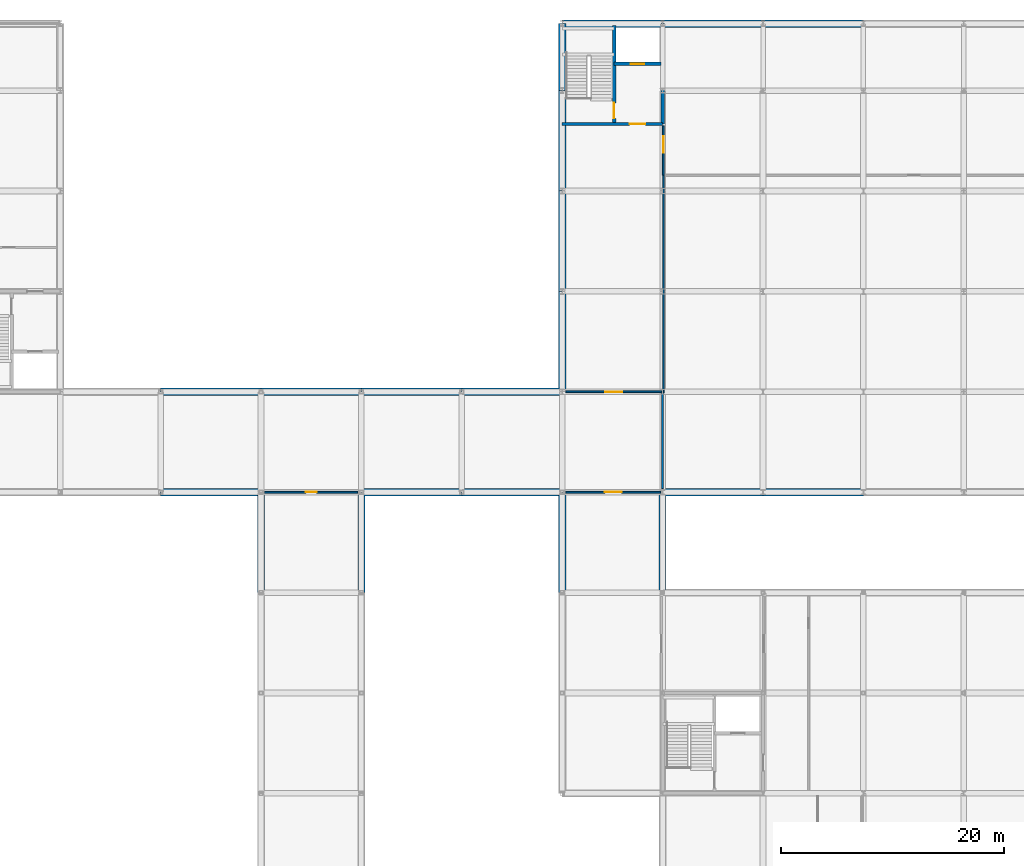
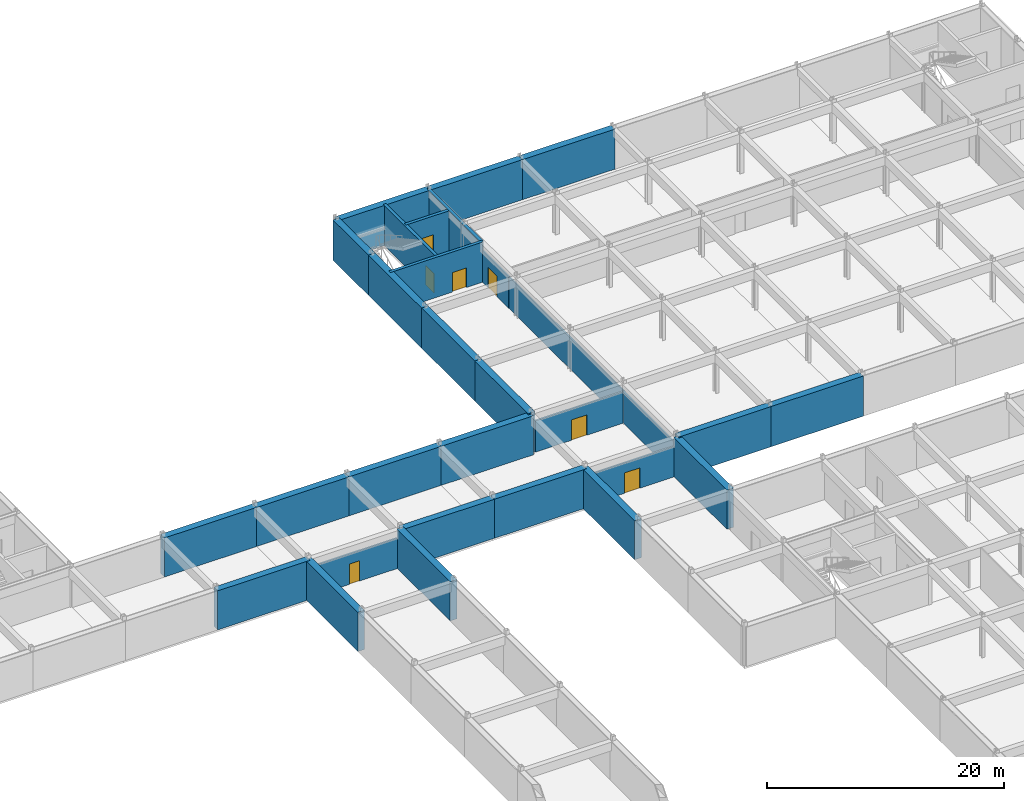
# One storey, part 24 of 35: 30 walls, 7 doors, 7 openings.
"""IFC4 building model written with IfcOpenShell, lengths in metres."""

from ifc_helpers import new_model, si_unit, direction, frame, frame_2d, origin, place, context, subcontext, project, spatial, rectangle, extrude, material, layer, layer_set, type_object, element, fill, save


model = new_model("IFC4")

# Units and contexts
model_context = context("Model", 3, precision=1e-05, world=origin(), true_north=direction((0.0, 1.0)))
body_context = subcontext(model_context, "Body", "Model", "MODEL_VIEW")
ifc_project = project(units=[si_unit("LENGTHUNIT", "METRE"), si_unit("AREAUNIT", "SQUARE_METRE"), si_unit("VOLUMEUNIT", "CUBIC_METRE"), si_unit("PLANEANGLEUNIT", "RADIAN"), si_unit("MASSUNIT", "GRAM", prefix="KILO")], contexts=[model_context])

# Site, building, storey
site_placement = place(None, origin())
site = spatial("IfcSite", under=ifc_project, at=site_placement, CompositionType="ELEMENT")
building_placement = place(site_placement, origin())
building = spatial("IfcBuilding", under=site, at=building_placement, Name="Palais des Congres Ocreval", CompositionType="ELEMENT")
storey_placement = place(building_placement, frame((0.0, 0.0, -4.47998046875)))
storey = spatial("IfcBuildingStorey", under=building, at=storey_placement, Name="B1", CompositionType="ELEMENT", Elevation=-4.47998046875)

# Wall, opening, door
ifc_material_1 = material(Name="Concrete C40/50", Category="concrete")
ifc_layer_1 = layer(ifc_material_1, 0.300048828125)
ifc_layer_set_1 = layer_set([ifc_layer_1], Name="Core Shear Wall 300 Concrete C40/50")
wall_type_1 = type_object("IfcWallType", Name="Core Shear Wall 300 Concrete C40/50", PredefinedType="SHEAR", material=ifc_layer_set_1)
wall_1_placement = place(storey_placement, frame((99.0, 105.0, 0.0), z_axis=(0.0, 0.0, 1.0), x_axis=(1.0, 0.0, 0.0)))
wall_1 = element("IfcWall", 1, at=wall_1_placement, inside=storey, type_object=wall_type_1, Name="Core Shear Wall SC07 B1 S", PredefinedType="SHEAR", context=body_context, shape_type="SweptSolid", body=[
    extrude(rectangle(XDim=9.0, YDim=0.300048828125, at=frame_2d((4.5, 0.0))), origin(), (0.0, 0.0, 1.0), 4.139892578125),
])
opening_1_placement = place(wall_1_placement, frame((6.050048828125, 0.0, 0.0)))
opening_1 = element("IfcOpeningElement", 2, at=opening_1_placement, cuts=wall_1, Name="Opening D03", PredefinedType="OPENING", context=body_context, shape_type="SweptSolid", body=[
    extrude(rectangle(XDim=1.39990234375, YDim=2.02001953125, at=frame_2d((0.699951171875, 1.010009765625))), frame((0.0, 0.159912109375, 0.0), z_axis=(0.0, -1.0, 0.0), x_axis=(1.0, 0.0, 0.0)), (0.0, 0.0, 1.0), 0.320068359375),
])
ifc_material_2 = material(Name="Painted fire-rated steel", Category="steel")
door_type_1 = type_object("IfcDoorType", Name="Core Lobby Rated Door 1400x2020", OperationType="NOTDEFINED", PredefinedType="DOOR", material=ifc_material_2)
door_1_placement = place(opening_1_placement, origin())
door_1 = element("IfcDoor", 3, at=door_1_placement, inside=storey, type_object=door_type_1, Name="Lobby Entrance Door SC07 B1", OperationType="DOUBLE_DOOR_SINGLE_SWING", OverallHeight=2.02001953125, OverallWidth=1.39990234375, PredefinedType="DOOR", context=body_context, shape_type="SweptSolid", body=[
    extrude(rectangle(XDim=1.39990234375, YDim=2.02001953125, at=frame_2d((0.699951171875, 1.010009765625))), frame((0.0, 0.02490234375, 0.0), z_axis=(0.0, -1.0, 0.0), x_axis=(1.0, 0.0, 0.0)), (0.0, 0.0, 1.0), 0.050048828125),
])
fill(opening_1, door_1)

# Wall
wall_2_placement = place(storey_placement, frame((108.0, 105.0, 0.0), z_axis=(0.0, 0.0, 1.0), x_axis=(0.0, 1.0, 0.0)))
element("IfcWall", 4, at=wall_2_placement, inside=storey, type_object=wall_type_1, Name="Core Shear Wall SC07 B1 E", PredefinedType="SHEAR", context=body_context, shape_type="SweptSolid", body=[
    extrude(rectangle(XDim=9.0, YDim=0.300048828125, at=frame_2d((4.5, 0.0))), origin(), (0.0, 0.0, 1.0), 4.139892578125),
])

# Wall, opening, door
wall_3_placement = place(storey_placement, frame((103.64990234375, 105.14990234375, 0.0), z_axis=(0.0, 0.0, 1.0), x_axis=(0.0, 1.0, 0.0)))
wall_3 = element("IfcWall", 5, at=wall_3_placement, inside=storey, type_object=wall_type_1, Name="Core Spine Shear Wall SC07 B1", PredefinedType="SHEAR", context=body_context, shape_type="SweptSolid", body=[
    extrude(rectangle(XDim=8.7001953125, YDim=0.300048828125, at=frame_2d((4.35009765625, 0.0))), origin(), (0.0, 0.0, 1.0), 4.139892578125),
])
opening_2_placement = place(wall_3_placement, frame((0.35009765625, 0.0, 0.0)))
opening_2 = element("IfcOpeningElement", 6, at=opening_2_placement, cuts=wall_3, Name="Opening D03", PredefinedType="OPENING", context=body_context, shape_type="SweptSolid", body=[
    extrude(rectangle(XDim=1.39990234375, YDim=2.02001953125, at=frame_2d((0.699951171875, 1.010009765625))), frame((0.0, 0.159912109375, 0.0), z_axis=(0.0, -1.0, 0.0), x_axis=(1.0, 0.0, 0.0)), (0.0, 0.0, 1.0), 0.320068359375),
])
door_2_placement = place(opening_2_placement, origin())
door_2 = element("IfcDoor", 7, at=door_2_placement, inside=storey, type_object=door_type_1, Name="Protected Exit Stair Door ST07 B1", OperationType="SINGLE_SWING_LEFT", OverallHeight=2.02001953125, OverallWidth=1.39990234375, PredefinedType="DOOR", context=body_context, shape_type="SweptSolid", body=[
    extrude(rectangle(XDim=1.39990234375, YDim=2.02001953125, at=frame_2d((0.699951171875, 1.010009765625))), frame((0.0, 0.02490234375, 0.0), z_axis=(0.0, -1.0, 0.0), x_axis=(1.0, 0.0, 0.0)), (0.0, 0.0, 1.0), 0.050048828125),
])
fill(opening_2, door_2)

wall_4_placement = place(storey_placement, frame((103.64990234375, 110.39990234375, 0.0), z_axis=(0.0, 0.0, 1.0), x_axis=(1.0, 0.0, 0.0)))
wall_4 = element("IfcWall", 8, at=wall_4_placement, inside=storey, type_object=wall_type_1, Name="Lift Shaft Front Wall SC07 B1", PredefinedType="SHEAR", context=body_context, shape_type="SweptSolid", body=[
    extrude(rectangle(XDim=4.2001953125, YDim=0.300048828125, at=frame_2d((2.10009765625, 0.0))), origin(), (0.0, 0.0, 1.0), 4.139892578125),
])
opening_3_placement = place(wall_4_placement, frame((1.5, 0.0, 0.0)))
opening_3 = element("IfcOpeningElement", 9, at=opening_3_placement, cuts=wall_4, Name="Opening LD02", PredefinedType="OPENING", context=body_context, shape_type="SweptSolid", body=[
    extrude(rectangle(XDim=1.199951171875, YDim=2.199951171875, at=frame_2d((0.60009765625, 1.10009765625))), frame((0.0, 0.159912109375, 0.0), z_axis=(0.0, -1.0, 0.0), x_axis=(1.0, 0.0, 0.0)), (0.0, 0.0, 1.0), 0.320068359375),
])
ifc_material_3 = material(Name="Anodized bronze steel", Category="steel")
door_type_2 = type_object("IfcDoorType", Name="Passenger and Service Lift Sliding Door 1200x2200", OperationType="NOTDEFINED", PredefinedType="DOOR", material=ifc_material_3)
door_3_placement = place(opening_3_placement, origin())
door_3 = element("IfcDoor", 10, at=door_3_placement, inside=storey, type_object=door_type_2, Name="Lift Landing Sliding Door CL2 B1", OperationType="DOUBLE_DOOR_SLIDING", OverallHeight=2.199951171875, OverallWidth=1.199951171875, PredefinedType="DOOR", context=body_context, shape_type="SweptSolid", body=[
    extrude(rectangle(XDim=1.199951171875, YDim=2.199951171875, at=frame_2d((0.60009765625, 1.10009765625))), frame((0.0, 0.02490234375, 0.0), z_axis=(0.0, -1.0, 0.0), x_axis=(1.0, 0.0, 0.0)), (0.0, 0.0, 1.0), 0.050048828125),
])
fill(opening_3, door_3)

# Wall
ifc_material_4 = material(Name="Gypsum acoustic partition")
ifc_layer_2 = layer(ifc_material_4, 0.159912109375)
ifc_layer_set_2 = layer_set([ifc_layer_2], Name="Corridor Fire Partition 160 Gypsum (Gypsum acoustic partition)")
wall_type_2 = type_object("IfcWallType", Name="Corridor Fire Partition 160 Gypsum", PredefinedType="PARTITIONING", material=ifc_layer_set_2)
wall_5_placement = place(storey_placement, frame((107.985107421875, 72.330078125, 0.0), z_axis=(0.0, 0.0, 1.0), x_axis=(0.0, 1.0, 0.0)))
element("IfcWall", 11, at=wall_5_placement, inside=storey, type_object=wall_type_2, Name="Interior Partition IW03 B1", PredefinedType="PARTITIONING", context=body_context, shape_type="SweptSolid", body=[
    extrude(rectangle(XDim=8.75, YDim=0.159912109375, at=frame_2d((4.375, 0.0))), origin(), (0.0, 0.0, 1.0), 3.239990234375),
])

# Wall, opening, door
wall_6_placement = place(storey_placement, frame((72.330078125, 72.0, 0.0), z_axis=(0.0, 0.0, 1.0), x_axis=(1.0, 0.0, 0.0)))
wall_6 = element("IfcWall", 12, at=wall_6_placement, inside=storey, type_object=wall_type_2, Name="Interior Partition IW03 B1", PredefinedType="PARTITIONING", context=body_context, shape_type="SweptSolid", body=[
    extrude(rectangle(XDim=8.33984375, YDim=0.159912109375, at=frame_2d((4.169921875, 0.0))), origin(), (0.0, 0.0, 1.0), 3.1298828125),
])
opening_4_placement = place(wall_6_placement, frame((3.669921875, 0.0, 0.0)))
opening_4 = element("IfcOpeningElement", 13, at=opening_4_placement, cuts=wall_6, Name="Opening D10", PredefinedType="OPENING", context=body_context, shape_type="SweptSolid", body=[
    extrude(rectangle(XDim=1.0, YDim=2.10009765625, at=frame_2d((0.5, 1.050048828125))), frame((0.0, 0.08984375, 0.0), z_axis=(0.0, -1.0, 0.0), x_axis=(1.0, 0.0, 0.0)), (0.0, 0.0, 1.0), 0.179931640625),
])
ifc_material_5 = material(Name="Painted steel", Category="steel")
door_type_3 = type_object("IfcDoorType", Name="Service and Pantry Door 1000x2100", OperationType="NOTDEFINED", PredefinedType="DOOR", material=ifc_material_5)
door_4_placement = place(opening_4_placement, origin())
door_4 = element("IfcDoor", 14, at=door_4_placement, inside=storey, type_object=door_type_3, Name="Interior Door D10 B1", OperationType="SINGLE_SWING_RIGHT", OverallHeight=2.10009765625, OverallWidth=1.0, PredefinedType="DOOR", context=body_context, shape_type="SweptSolid", body=[
    extrude(rectangle(XDim=1.0, YDim=2.10009765625, at=frame_2d((0.5, 1.050048828125))), frame((0.0, 0.02490234375, 0.0), z_axis=(0.0, -1.0, 0.0), x_axis=(1.0, 0.0, 0.0)), (0.0, 0.0, 1.0), 0.050048828125),
])
fill(opening_4, door_4)

wall_7_placement = place(storey_placement, frame((99.330078125, 72.0, 0.0), z_axis=(0.0, 0.0, 1.0), x_axis=(1.0, 0.0, 0.0)))
wall_7 = element("IfcWall", 15, at=wall_7_placement, inside=storey, type_object=wall_type_2, Name="Interior Partition IW03 B1", PredefinedType="PARTITIONING", context=body_context, shape_type="SweptSolid", body=[
    extrude(rectangle(XDim=8.5, YDim=0.159912109375, at=frame_2d((4.25, 0.0))), origin(), (0.0, 0.0, 1.0), 3.1298828125),
])
opening_5_placement = place(wall_7_placement, frame((3.5, 0.0, 0.0)))
opening_5 = element("IfcOpeningElement", 16, at=opening_5_placement, cuts=wall_7, Name="Opening D04", PredefinedType="OPENING", context=body_context, shape_type="SweptSolid", body=[
    extrude(rectangle(XDim=1.5, YDim=2.10009765625, at=frame_2d((0.75, 1.050048828125))), frame((0.0, 0.08984375, 0.0), z_axis=(0.0, -1.0, 0.0), x_axis=(1.0, 0.0, 0.0)), (0.0, 0.0, 1.0), 0.179931640625),
])
ifc_material_6 = material(Name="Solid French oak fire door", Category="wood")
door_type_4 = type_object("IfcDoorType", Name="Corridor Compartment Double Door 1500x2100", OperationType="NOTDEFINED", PredefinedType="DOOR", material=ifc_material_6)
door_5_placement = place(opening_5_placement, origin())
door_5 = element("IfcDoor", 17, at=door_5_placement, inside=storey, type_object=door_type_4, Name="Interior Door D04 B1", OperationType="DOUBLE_DOOR_SINGLE_SWING", OverallHeight=2.10009765625, OverallWidth=1.5, PredefinedType="DOOR", context=body_context, shape_type="SweptSolid", body=[
    extrude(rectangle(XDim=1.5, YDim=2.10009765625, at=frame_2d((0.75, 1.050048828125))), frame((0.0, 0.02490234375, 0.0), z_axis=(0.0, -1.0, 0.0), x_axis=(1.0, 0.0, 0.0)), (0.0, 0.0, 1.0), 0.050048828125),
])
fill(opening_5, door_5)

wall_8_placement = place(storey_placement, frame((99.330078125, 81.0, 0.0), z_axis=(0.0, 0.0, 1.0), x_axis=(1.0, 0.0, 0.0)))
wall_8 = element("IfcWall", 18, at=wall_8_placement, inside=storey, type_object=wall_type_2, Name="Interior Partition IW03 B1", PredefinedType="PARTITIONING", context=body_context, shape_type="SweptSolid", body=[
    extrude(rectangle(XDim=8.579833984375, YDim=0.159912109375, at=frame_2d((4.2900390625, 0.0))), origin(), (0.0, 0.0, 1.0), 3.239990234375),
])
opening_6_placement = place(wall_8_placement, frame((3.5400390625, 0.0, 0.0)))
opening_6 = element("IfcOpeningElement", 19, at=opening_6_placement, cuts=wall_8, Name="Opening D04", PredefinedType="OPENING", context=body_context, shape_type="SweptSolid", body=[
    extrude(rectangle(XDim=1.5, YDim=2.10009765625, at=frame_2d((0.75, 1.050048828125))), frame((0.0, 0.08984375, 0.0), z_axis=(0.0, -1.0, 0.0), x_axis=(1.0, 0.0, 0.0)), (0.0, 0.0, 1.0), 0.179931640625),
])
door_6_placement = place(opening_6_placement, origin())
door_6 = element("IfcDoor", 20, at=door_6_placement, inside=storey, type_object=door_type_4, Name="Interior Door D04 B1", OperationType="DOUBLE_DOOR_SINGLE_SWING", OverallHeight=2.10009765625, OverallWidth=1.5, PredefinedType="DOOR", context=body_context, shape_type="SweptSolid", body=[
    extrude(rectangle(XDim=1.5, YDim=2.10009765625, at=frame_2d((0.75, 1.050048828125))), frame((0.0, 0.02490234375, 0.0), z_axis=(0.0, -1.0, 0.0), x_axis=(1.0, 0.0, 0.0)), (0.0, 0.0, 1.0), 0.050048828125),
])
fill(opening_6, door_6)

wall_9_placement = place(storey_placement, frame((108.06494140625, 100.419921875, 0.0), z_axis=(0.0, 0.0, 1.0), x_axis=(0.0, 1.0, 0.0)))
wall_9 = element("IfcWall", 21, at=wall_9_placement, inside=storey, type_object=wall_type_2, Name="Interior Partition IW03 B1", PredefinedType="PARTITIONING", context=body_context, shape_type="SweptSolid", body=[
    extrude(rectangle(XDim=4.425048828125, YDim=0.159912109375, at=frame_2d((2.21240234375, 0.0))), origin(), (0.0, 0.0, 1.0), 3.239990234375),
])
opening_7_placement = place(wall_9_placement, frame((1.993408203125, 0.0, 0.0)))
opening_7 = element("IfcOpeningElement", 22, at=opening_7_placement, cuts=wall_9, Name="Opening D04", PredefinedType="OPENING", context=body_context, shape_type="SweptSolid", body=[
    extrude(rectangle(XDim=1.5, YDim=2.10009765625, at=frame_2d((0.75, 1.050048828125))), frame((0.0, 0.08984375, 0.0), z_axis=(0.0, -1.0, 0.0), x_axis=(1.0, 0.0, 0.0)), (0.0, 0.0, 1.0), 0.179931640625),
])
door_7_placement = place(opening_7_placement, origin())
door_7 = element("IfcDoor", 23, at=door_7_placement, inside=storey, type_object=door_type_4, Name="Interior Door D04 B1", OperationType="DOUBLE_DOOR_SINGLE_SWING", OverallHeight=2.10009765625, OverallWidth=1.5, PredefinedType="DOOR", context=body_context, shape_type="SweptSolid", body=[
    extrude(rectangle(XDim=1.5, YDim=2.10009765625, at=frame_2d((0.75, 1.050048828125))), frame((0.0, 0.02490234375, 0.0), z_axis=(0.0, -1.0, 0.0), x_axis=(1.0, 0.0, 0.0)), (0.0, 0.0, 1.0), 0.050048828125),
])
fill(opening_7, door_7)

# Walls
ifc_material_7 = material(Name="Gypsum board partition")
ifc_layer_3 = layer(ifc_material_7, 0.1201171875)
ifc_layer_set_3 = layer_set([ifc_layer_3], Name="Suite Subdivision Partition 120 Gypsum (Gypsum board partition)")
wall_type_3 = type_object("IfcWallType", Name="Suite Subdivision Partition 120 Gypsum", PredefinedType="PARTITIONING", material=ifc_layer_set_3)
wall_10_placement = place(storey_placement, frame((108.06494140625, 80.919921875, 0.0), z_axis=(0.0, 0.0, 1.0), x_axis=(0.0, 1.0, 0.0)))
element("IfcWall", 24, at=wall_10_placement, inside=storey, type_object=wall_type_3, Name="Interior Partition IW04 B1", PredefinedType="PARTITIONING", context=body_context, shape_type="SweptSolid", body=[
    extrude(rectangle(XDim=19.47998046875, YDim=0.1201171875, at=frame_2d((9.739990234375, 0.0))), origin(), (0.0, 0.0, 1.0), 3.239990234375),
])
ifc_material_8 = material(Name="Concrete C35/45", Category="concrete")
ifc_layer_4 = layer(ifc_material_8, 0.64990234375)
ifc_layer_set_4 = layer_set([ifc_layer_4], Name="Upper Retaining Wall 650 Concrete C35/45")
wall_type_4 = type_object("IfcWallType", Name="Upper Retaining Wall 650 Concrete C35/45", PredefinedType="USERDEFINED", material=ifc_layer_set_4)
for number, where, z_axis, x_axis, name in (
    (25, (63.0, 81.0, 0.0), (0.0, 0.0, 1.0), (1.0, 0.0, 0.0), "Basement Diaphragm Wall RW02 B1"),
    (26, (72.0, 81.0, 0.0), (0.0, 0.0, 1.0), (1.0, 0.0, 0.0), "Basement Diaphragm Wall RW02 B1"),
    (27, (81.0, 81.0, 0.0), (0.0, 0.0, 1.0), (1.0, 0.0, 0.0), "Basement Diaphragm Wall RW02 B1"),
    (28, (90.0, 81.0, 0.0), (0.0, 0.0, 1.0), (1.0, 0.0, 0.0), "Basement Diaphragm Wall RW02 B1"),
):
    element("IfcWall", number, at=place(storey_placement, frame(where, z_axis=z_axis, x_axis=x_axis)), inside=storey, type_object=wall_type_4, Name=name, ObjectType="RETAININGWALL", PredefinedType="USERDEFINED", context=body_context, shape_type="SweptSolid", body=[
        extrude(rectangle(XDim=9.0, YDim=0.64990234375, at=frame_2d((4.5, 0.0))), origin(), (0.0, 0.0, 1.0), 4.030029296875),
    ])
for number, where, z_axis, x_axis, name in (
    (29, (99.0, 81.0, 0.0), (0.0, 0.0, 1.0), (0.0, 1.0, 0.0), "Basement Diaphragm Wall RW02 B1"),
    (30, (99.0, 90.0, 0.0), (0.0, 0.0, 1.0), (0.0, 1.0, 0.0), "Basement Diaphragm Wall RW02 B1"),
    (31, (99.0, 99.0, 0.0), (0.0, 0.0, 1.0), (0.0, 1.0, 0.0), "Basement Diaphragm Wall RW02 B1"),
):
    element("IfcWall", number, at=place(storey_placement, frame(where, z_axis=z_axis, x_axis=x_axis)), inside=storey, type_object=wall_type_4, Name=name, ObjectType="RETAININGWALL", PredefinedType="USERDEFINED", context=body_context, shape_type="SweptSolid", body=[
        extrude(rectangle(XDim=9.0, YDim=0.64990234375, at=frame_2d((4.5, 0.0))), origin(), (0.0, 0.0, 1.0), 4.139892578125),
    ])
wall_11_placement = place(storey_placement, frame((99.0, 108.0, 0.0), z_axis=(0.0, 0.0, 1.0), x_axis=(0.0, 1.0, 0.0)))
element("IfcWall", 32, at=wall_11_placement, inside=storey, type_object=wall_type_4, Name="Basement Diaphragm Wall RW02 B1", ObjectType="RETAININGWALL", PredefinedType="USERDEFINED", context=body_context, shape_type="SweptSolid", body=[
    extrude(rectangle(XDim=6.0, YDim=0.64990234375, at=frame_2d((3.0, 0.0))), origin(), (0.0, 0.0, 1.0), 4.139892578125),
])
for number, where, z_axis, x_axis, name in (
    (33, (99.0, 114.0, 0.0), (0.0, 0.0, 1.0), (1.0, 0.0, 0.0), "Basement Diaphragm Wall RW02 B1"),
    (34, (108.0, 114.0, 0.0), (0.0, 0.0, 1.0), (1.0, 0.0, 0.0), "Basement Diaphragm Wall RW02 B1"),
    (35, (117.0, 114.0, 0.0), (0.0, 0.0, 1.0), (1.0, 0.0, 0.0), "Basement Diaphragm Wall RW02 B1"),
    (36, (126.0, 72.0, 0.0), (0.0, 0.0, 1.0), (-1.0, 0.0, 0.0), "Basement Diaphragm Wall RW02 B1"),
    (37, (117.0, 72.0, 0.0), (0.0, 0.0, 1.0), (-1.0, 0.0, 0.0), "Basement Diaphragm Wall RW02 B1"),
):
    element("IfcWall", number, at=place(storey_placement, frame(where, z_axis=z_axis, x_axis=x_axis)), inside=storey, type_object=wall_type_4, Name=name, ObjectType="RETAININGWALL", PredefinedType="USERDEFINED", context=body_context, shape_type="SweptSolid", body=[
        extrude(rectangle(XDim=9.0, YDim=0.64990234375, at=frame_2d((4.5, 0.0))), origin(), (0.0, 0.0, 1.0), 4.139892578125),
    ])
for number, where, z_axis, x_axis, name in (
    (38, (108.0, 72.0, 0.0), (0.0, 0.0, 1.0), (0.0, -1.0, 0.0), "Basement Diaphragm Wall RW02 B1"),
    (39, (99.0, 63.0, 0.0), (0.0, 0.0, 1.0), (0.0, 1.0, 0.0), "Basement Diaphragm Wall RW02 B1"),
    (40, (99.0, 72.0, 0.0), (0.0, 0.0, 1.0), (-1.0, 0.0, 0.0), "Basement Diaphragm Wall RW02 B1"),
    (41, (90.0, 72.0, 0.0), (0.0, 0.0, 1.0), (-1.0, 0.0, 0.0), "Basement Diaphragm Wall RW02 B1"),
    (42, (81.0, 72.0, 0.0), (0.0, 0.0, 1.0), (0.0, -1.0, 0.0), "Basement Diaphragm Wall RW02 B1"),
    (43, (72.0, 63.0, 0.0), (0.0, 0.0, 1.0), (0.0, 1.0, 0.0), "Basement Diaphragm Wall RW02 B1"),
    (44, (72.0, 72.0, 0.0), (0.0, 0.0, 1.0), (-1.0, 0.0, 0.0), "Basement Diaphragm Wall RW02 B1"),
):
    element("IfcWall", number, at=place(storey_placement, frame(where, z_axis=z_axis, x_axis=x_axis)), inside=storey, type_object=wall_type_4, Name=name, ObjectType="RETAININGWALL", PredefinedType="USERDEFINED", context=body_context, shape_type="SweptSolid", body=[
        extrude(rectangle(XDim=9.0, YDim=0.64990234375, at=frame_2d((4.5, 0.0))), origin(), (0.0, 0.0, 1.0), 4.030029296875),
    ])

save(model, "model.ifc")
